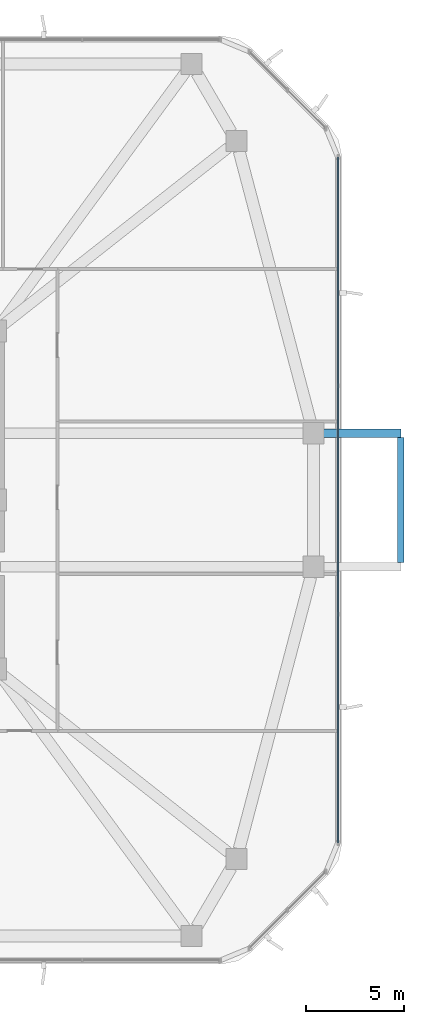
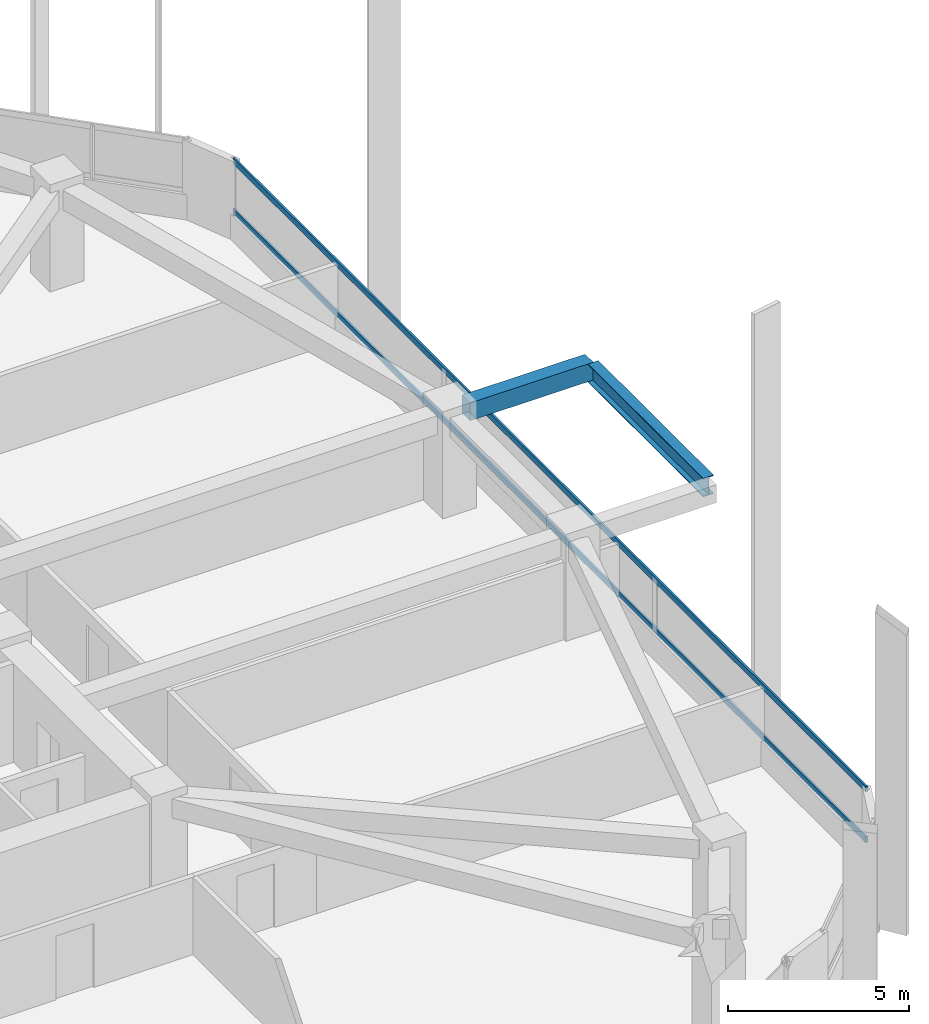
# One storey, part 5 of 17: 2 beams, 2 members, 1 element without a shape of its own.
"""IFC4 building model written with IfcOpenShell, lengths in metres."""

from ifc_helpers import new_model, si_unit, derived_unit, direction, frame, origin, origin_2d, place, context, subcontext, project, spatial, rectangle, i_section, extrude, material, material_profile, profile_set, type_object, element, aggregate, save


model = new_model("IFC4")

# Units and contexts
model_context = context("Model", 3, precision=1e-05, world=origin(), true_north=direction((0.0, 1.0)))
body_context = subcontext(model_context, "Body", "Model", "MODEL_VIEW")
ifc_project = project(units=[si_unit("LENGTHUNIT", "METRE"), si_unit("AREAUNIT", "SQUARE_METRE"), si_unit("VOLUMEUNIT", "CUBIC_METRE"), si_unit("PLANEANGLEUNIT", "RADIAN"), si_unit("MASSUNIT", "GRAM", prefix="KILO"), derived_unit("THERMALTRANSMITTANCEUNIT", [(si_unit("POWERUNIT", "WATT"), 1), (si_unit("LENGTHUNIT", "METRE"), -2), (si_unit("THERMODYNAMICTEMPERATUREUNIT", "KELVIN"), -1)])], contexts=[model_context])

# Site, building, storey
site_placement = place(None, origin())
site = spatial("IfcSite", under=ifc_project, at=site_placement, CompositionType="ELEMENT")
building_placement = place(site_placement, origin())
building = spatial("IfcBuilding", under=site, at=building_placement, Name="Koralith Skygarden Medical Center", CompositionType="ELEMENT")
storey_placement = place(building_placement, frame((0.0, 0.0, 52.739990234375)))
storey = spatial("IfcBuildingStorey", under=building, at=storey_placement, Name="L13", CompositionType="ELEMENT", Elevation=52.739990234375)

# Curtain wall, members
ifc_material_1 = material(Name="Clear Laminated Glass", Category="glass")
curtain_wall_type = type_object("IfcCurtainWallType", Name="CW-2 Zone 1 Hurricane Unitised Curtain Wall", PredefinedType="NOTDEFINED", material=ifc_material_1)
curtain_wall_placement = place(storey_placement, origin())
curtain_wall = element("IfcCurtainWall", 1, at=curtain_wall_placement, inside=storey, type_object=curtain_wall_type, Name="Curtain Wall CW-L13-E", PredefinedType="NOTDEFINED")
ifc_material_2 = material(Name="Aluminium 6063-T6", Category="aluminium")
ifc_material_profile_1 = material_profile(ifc_material_2, rectangle(XDim=0.06591796875, YDim=0.197998046875, at=origin_2d()), Name="TRN66X198")
ifc_profile_set_1 = profile_set([ifc_material_profile_1], Name="Aluminium 6063-T6")
member_type = type_object("IfcMemberType", Name="CW-2 Thermal Transom 66x198", PredefinedType="USERDEFINED", material=ifc_profile_set_1)
member_1_placement = place(storey_placement, frame((65.6201171875, 8.455078125, 0.89990234375), z_axis=(0.0, 1.0, 0.0), x_axis=(-1.0, 0.0, 0.0)))
member_1 = element("IfcMember", 2, at=member_1_placement, type_object=member_type, Name="CW-L13-E Transom 1", ObjectType="TRANSOM", PredefinedType="USERDEFINED", context=body_context, shape_type="SweptSolid", body=[
    extrude(rectangle(XDim=0.06591796875, YDim=0.197998046875, at=origin_2d()), origin(), (0.0, 0.0, 1.0), 34.889892578125),
])
member_2_placement = place(storey_placement, frame((65.6201171875, 8.455078125, 2.60009765625), z_axis=(0.0, 1.0, 0.0), x_axis=(-1.0, 0.0, 0.0)))
member_2 = element("IfcMember", 3, at=member_2_placement, type_object=member_type, Name="CW-L13-E Transom 2", ObjectType="TRANSOM", PredefinedType="USERDEFINED", context=body_context, shape_type="SweptSolid", body=[
    extrude(rectangle(XDim=0.06591796875, YDim=0.197998046875, at=origin_2d()), origin(), (0.0, 0.0, 1.0), 34.889892578125),
])
aggregate(curtain_wall, [member_1, member_2])

# Beams
ifc_material_3 = material(Name="Steel ASTM A992 Grade 50", Category="steel")
ifc_material_profile_2 = material_profile(ifc_material_3, i_section(OverallWidth=0.326904296875, OverallDepth=0.6220703125, WebThickness=0.015380859375, FlangeThickness=0.0244140625, at=origin_2d()), Name="W24X131")
ifc_profile_set_2 = profile_set([ifc_material_profile_2], Name="Steel ASTM A992 Grade 50")
beam_type_1 = type_object("IfcBeamType", Name="Cantilever Tie Beam W24X131", PredefinedType="BEAM", material=ifc_profile_set_2)
beam_1_placement = place(storey_placement, frame((68.820068359375, 22.719970703125, 3.029052734375), z_axis=(0.0, 1.0, 0.0), x_axis=(-1.0, 0.0, 0.0)))
element("IfcBeam", 4, at=beam_1_placement, inside=storey, type_object=beam_type_1, Name="L14 E Balcony Tip Tie Beam", PredefinedType="BEAM", context=body_context, shape_type="SweptSolid", body=[
    extrude(i_section(OverallWidth=0.326904296875, OverallDepth=0.6220703125, WebThickness=0.015380859375, FlangeThickness=0.0244140625, at=origin_2d()), origin(), (0.0, 0.0, 1.0), 6.360107421875),
])
ifc_material_4 = material(Name="Concrete C45/55", Category="concrete")
ifc_material_profile_3 = material_profile(ifc_material_4, rectangle(XDim=0.449951171875, YDim=0.60009765625, at=origin_2d()), Name="RCB450X600")
ifc_profile_set_3 = profile_set([ifc_material_profile_3], Name="Concrete C45/55")
beam_type_2 = type_object("IfcBeamType", Name="Planted Balcony Cantilever Beam RCB450X600", PredefinedType="BEAM", material=ifc_profile_set_3)
beam_2_placement = place(storey_placement, frame((64.89990234375, 29.300048828125, 3.0400390625), z_axis=(1.0, 0.0, 0.0), x_axis=(0.0, 1.0, 0.0)))
element("IfcBeam", 5, at=beam_2_placement, inside=storey, type_object=beam_type_2, Name="L14 E Balcony Cantilever Beam B", PredefinedType="BEAM", context=body_context, shape_type="SweptSolid", body=[
    extrude(rectangle(XDim=0.449951171875, YDim=0.60009765625, at=origin_2d()), origin(), (0.0, 0.0, 1.0), 3.920166015625),
])

save(model, "model.ifc")
